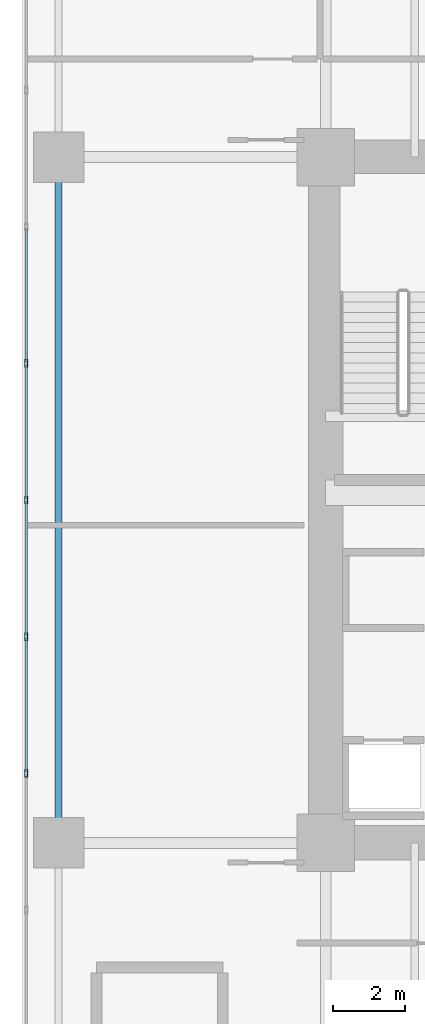
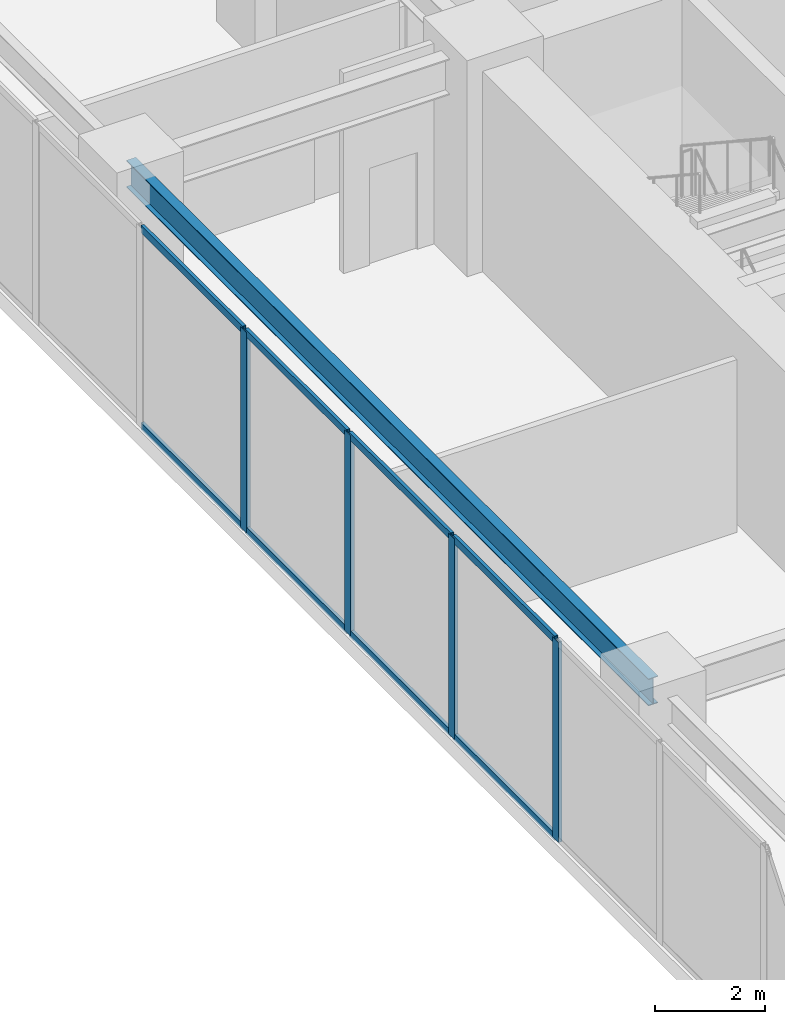
# One storey, part 5 of 32: 12 members, 1 beam, 1 element without a shape of its own.
"""IFC4 building model written with IfcOpenShell, lengths in metres."""

from ifc_helpers import new_model, si_unit, direction, frame, origin, origin_2d, place, context, subcontext, project, spatial, hollow_rectangle, i_section, extrude, source, transform, mapped, material, layer, layer_set, material_profile, profile_set, type_object, type_shapes, element, aggregate, save


model = new_model("IFC4")

# Units and contexts
model_context = context("Model", 3, precision=1e-05, world=origin(), true_north=direction((0.0, 1.0)))
body_context = subcontext(model_context, "Body", "Model", "MODEL_VIEW")
ifc_project = project(units=[si_unit("LENGTHUNIT", "METRE"), si_unit("AREAUNIT", "SQUARE_METRE"), si_unit("VOLUMEUNIT", "CUBIC_METRE"), si_unit("PLANEANGLEUNIT", "RADIAN"), si_unit("MASSUNIT", "GRAM", prefix="KILO")], contexts=[model_context])

# Site, building, storey
site_placement = place(None, origin())
site = spatial("IfcSite", under=ifc_project, at=site_placement, CompositionType="ELEMENT")
building_placement = place(site_placement, origin())
building = spatial("IfcBuilding", under=site, at=building_placement, Name="Haelvirn Gate Laboratories", CompositionType="ELEMENT")
storey_placement = place(building_placement, frame((0.0, 0.0, 5.39990234375)))
storey = spatial("IfcBuildingStorey", under=building, at=storey_placement, Name="L02", CompositionType="ELEMENT", Elevation=5.39990234375)

# Beam
ifc_material_1 = material(Name="Steel SM355", Category="steel")
ifc_material_profile_1 = material_profile(ifc_material_1, i_section(OverallWidth=0.199951171875, OverallDepth=0.60009765625, WebThickness=0.010986328125, FlangeThickness=0.01708984375, at=origin_2d()), Name="H-600x200x11x17")
ifc_profile_set_1 = profile_set([ifc_material_profile_1], Name="Steel SM355")
beam_type = type_object("IfcBeamType", Name="BM-SP-600", PredefinedType="SPANDREL", material=ifc_profile_set_1)
shared_shape_1 = source(origin(), body_context, "Body", "SweptSolid", [
    extrude(i_section(OverallWidth=0.199951171875, OverallDepth=0.60009765625, WebThickness=0.010986328125, FlangeThickness=0.01708984375, at=origin_2d()), origin(), (0.0, 0.0, 1.0), 19.0),
])
type_shapes(beam_type, [shared_shape_1])
beam_placement = place(storey_placement, frame((0.0, 14.800048828125, 4.150146484375), z_axis=(0.0, 1.0, 0.0), x_axis=(-1.0, 0.0, 0.0)))
element("IfcBeam", 1, at=beam_placement, inside=storey, type_object=beam_type, Name="L02 Perimeter Spandrel X0.0 (14.8-33.8)", PredefinedType="SPANDREL", context=body_context, shape_type="MappedRepresentation", body=[
    mapped(shared_shape_1, transform((0.0, 0.0, 0.0), scale=1.0)),
])

# Curtain wall, members
ifc_material_2 = material(Name="Anodised bronze unitised aluminium & triple low-E glass", Category="aluminium")
ifc_layer = layer(ifc_material_2, 0.18798828125, Name="CW-SYS-1")
ifc_layer_set = layer_set([ifc_layer], Name="Anodised bronze unitised aluminium & triple low-E glass")
curtain_wall_type = type_object("IfcCurtainWallType", Name="CW-SYS-1", PredefinedType="NOTDEFINED", material=ifc_layer_set)
curtain_wall_placement = place(storey_placement, origin())
curtain_wall = element("IfcCurtainWall", 2, at=curtain_wall_placement, inside=storey, type_object=curtain_wall_type, Name="L02 Unitised Curtain Wall CW-L02-P0-E05", PredefinedType="NOTDEFINED")
ifc_material_3 = material(Name="Extruded aluminium 6063-T6 (anodised bronze)", Category="aluminium")
ifc_material_profile_2 = material_profile(ifc_material_3, hollow_rectangle(XDim=0.080078125, YDim=0.219970703125, WallThickness=0.006103515625, at=origin_2d()), Name="CWM-220x80x6")
ifc_profile_set_2 = profile_set([ifc_material_profile_2], Name="Extruded aluminium 6063-T6 (anodised bronze)")
member_type_1 = type_object("IfcMemberType", Name="CWM-T220", PredefinedType="MULLION", material=ifc_profile_set_2)
shared_shape_2 = source(origin(), body_context, "Body", "SweptSolid", [
    extrude(hollow_rectangle(XDim=0.080078125, YDim=0.219970703125, WallThickness=0.006103515625, at=origin_2d()), origin(), (0.0, 0.0, 1.0), 4.4501953125),
])
type_shapes(member_type_1, [shared_shape_2])
member_1_placement = place(storey_placement, frame((-0.89990234375, 28.083251953125, 0.0), z_axis=(0.0, 0.0, 1.0), x_axis=(1.0, 0.0, 0.0)))
member_1 = element("IfcMember", 3, at=member_1_placement, type_object=member_type_1, Name="CW1 mullion 6", PredefinedType="MULLION", context=body_context, shape_type="MappedRepresentation", body=[
    mapped(shared_shape_2, transform((0.0, 0.0, 0.0), scale=1.0)),
])
member_2_placement = place(storey_placement, frame((-0.89990234375, 24.300048828125, 0.0), z_axis=(0.0, 0.0, 1.0), x_axis=(1.0, 0.0, 0.0)))
member_2 = element("IfcMember", 4, at=member_2_placement, type_object=member_type_1, Name="CW1 mullion 7", PredefinedType="MULLION", context=body_context, shape_type="MappedRepresentation", body=[
    mapped(shared_shape_2, transform((0.0, 0.0, 0.0), scale=1.0)),
])
member_3_placement = place(storey_placement, frame((-0.89990234375, 20.5166015625, 0.0), z_axis=(0.0, 0.0, 1.0), x_axis=(1.0, 0.0, 0.0)))
member_3 = element("IfcMember", 5, at=member_3_placement, type_object=member_type_1, Name="CW1 mullion 8", PredefinedType="MULLION", context=body_context, shape_type="MappedRepresentation", body=[
    mapped(shared_shape_2, transform((0.0, 0.0, 0.0), scale=1.0)),
])
member_4_placement = place(storey_placement, frame((-0.89990234375, 16.7333984375, 0.0), z_axis=(0.0, 0.0, 1.0), x_axis=(1.0, 0.0, 0.0)))
member_4 = element("IfcMember", 6, at=member_4_placement, type_object=member_type_1, Name="CW1 mullion 9", PredefinedType="MULLION", context=body_context, shape_type="MappedRepresentation", body=[
    mapped(shared_shape_2, transform((0.0, 0.0, 0.0), scale=1.0)),
])
ifc_material_profile_3 = material_profile(ifc_material_3, hollow_rectangle(XDim=0.070068359375, YDim=0.159912109375, WallThickness=0.0048828125, at=origin_2d()), Name="CWT-160x70x5")
ifc_profile_set_3 = profile_set([ifc_material_profile_3], Name="Extruded aluminium 6063-T6 (anodised bronze)")
member_type_2 = type_object("IfcMemberType", Name="CWT-T160", PredefinedType="USERDEFINED", material=ifc_profile_set_3)
shared_shape_3 = source(origin(), body_context, "Body", "SweptSolid", [
    extrude(hollow_rectangle(XDim=0.070068359375, YDim=0.159912109375, WallThickness=0.0048828125, at=origin_2d()), origin(), (0.0, 0.0, 1.0), 3.703369140625),
])
member_5_placement = place(storey_placement, frame((-0.89990234375, 31.82666015625, 0.03515625), z_axis=(0.0, -1.0, 0.0), x_axis=(1.0, 0.0, 0.0)))
member_5 = element("IfcMember", 7, at=member_5_placement, type_object=member_type_2, Name="CW1 transom 5.1", ObjectType="TRANSOM", PredefinedType="USERDEFINED", context=body_context, shape_type="MappedRepresentation", body=[
    mapped(shared_shape_3, transform((0.0, 0.0, 0.0), scale=1.0)),
])
member_6_placement = place(storey_placement, frame((-0.89990234375, 31.82666015625, 4.4150390625), z_axis=(0.0, -1.0, 0.0), x_axis=(1.0, 0.0, 0.0)))
member_6 = element("IfcMember", 8, at=member_6_placement, type_object=member_type_2, Name="CW1 transom 5.2", ObjectType="TRANSOM", PredefinedType="USERDEFINED", context=body_context, shape_type="MappedRepresentation", body=[
    mapped(shared_shape_3, transform((0.0, 0.0, 0.0), scale=1.0)),
])
member_7_placement = place(storey_placement, frame((-0.89990234375, 24.260009765625, 0.03515625), z_axis=(0.0, -1.0, 0.0), x_axis=(1.0, 0.0, 0.0)))
member_7 = element("IfcMember", 9, at=member_7_placement, type_object=member_type_2, Name="CW1 transom 7.1", ObjectType="TRANSOM", PredefinedType="USERDEFINED", context=body_context, shape_type="MappedRepresentation", body=[
    mapped(shared_shape_3, transform((0.0, 0.0, 0.0), scale=1.0)),
])
member_8_placement = place(storey_placement, frame((-0.89990234375, 24.260009765625, 4.4150390625), z_axis=(0.0, -1.0, 0.0), x_axis=(1.0, 0.0, 0.0)))
member_8 = element("IfcMember", 10, at=member_8_placement, type_object=member_type_2, Name="CW1 transom 7.2", ObjectType="TRANSOM", PredefinedType="USERDEFINED", context=body_context, shape_type="MappedRepresentation", body=[
    mapped(shared_shape_3, transform((0.0, 0.0, 0.0), scale=1.0)),
])
shared_shape_4 = source(origin(), body_context, "Body", "SweptSolid", [
    extrude(hollow_rectangle(XDim=0.070068359375, YDim=0.159912109375, WallThickness=0.0048828125, at=origin_2d()), origin(), (0.0, 0.0, 1.0), 3.703125),
])
type_shapes(member_type_2, [shared_shape_3, shared_shape_4])
member_9_placement = place(storey_placement, frame((-0.89990234375, 28.043212890625, 0.03515625), z_axis=(0.0, -1.0, 0.0), x_axis=(1.0, 0.0, 0.0)))
member_9 = element("IfcMember", 11, at=member_9_placement, type_object=member_type_2, Name="CW1 transom 6.1", ObjectType="TRANSOM", PredefinedType="USERDEFINED", context=body_context, shape_type="MappedRepresentation", body=[
    mapped(shared_shape_4, transform((0.0, 0.0, 0.0), scale=1.0)),
])
member_10_placement = place(storey_placement, frame((-0.89990234375, 28.043212890625, 4.4150390625), z_axis=(0.0, -1.0, 0.0), x_axis=(1.0, 0.0, 0.0)))
member_10 = element("IfcMember", 12, at=member_10_placement, type_object=member_type_2, Name="CW1 transom 6.2", ObjectType="TRANSOM", PredefinedType="USERDEFINED", context=body_context, shape_type="MappedRepresentation", body=[
    mapped(shared_shape_4, transform((0.0, 0.0, 0.0), scale=1.0)),
])
member_11_placement = place(storey_placement, frame((-0.89990234375, 20.4765625, 0.03515625), z_axis=(0.0, -1.0, 0.0), x_axis=(1.0, 0.0, 0.0)))
member_11 = element("IfcMember", 13, at=member_11_placement, type_object=member_type_2, Name="CW1 transom 8.1", ObjectType="TRANSOM", PredefinedType="USERDEFINED", context=body_context, shape_type="MappedRepresentation", body=[
    mapped(shared_shape_4, transform((0.0, 0.0, 0.0), scale=1.0)),
])
member_12_placement = place(storey_placement, frame((-0.89990234375, 20.4765625, 4.4150390625), z_axis=(0.0, -1.0, 0.0), x_axis=(1.0, 0.0, 0.0)))
member_12 = element("IfcMember", 14, at=member_12_placement, type_object=member_type_2, Name="CW1 transom 8.2", ObjectType="TRANSOM", PredefinedType="USERDEFINED", context=body_context, shape_type="MappedRepresentation", body=[
    mapped(shared_shape_4, transform((0.0, 0.0, 0.0), scale=1.0)),
])
aggregate(curtain_wall, [member_1, member_2, member_3, member_4, member_5, member_6, member_9, member_10, member_7, member_8, member_11, member_12])

save(model, "model.ifc")
